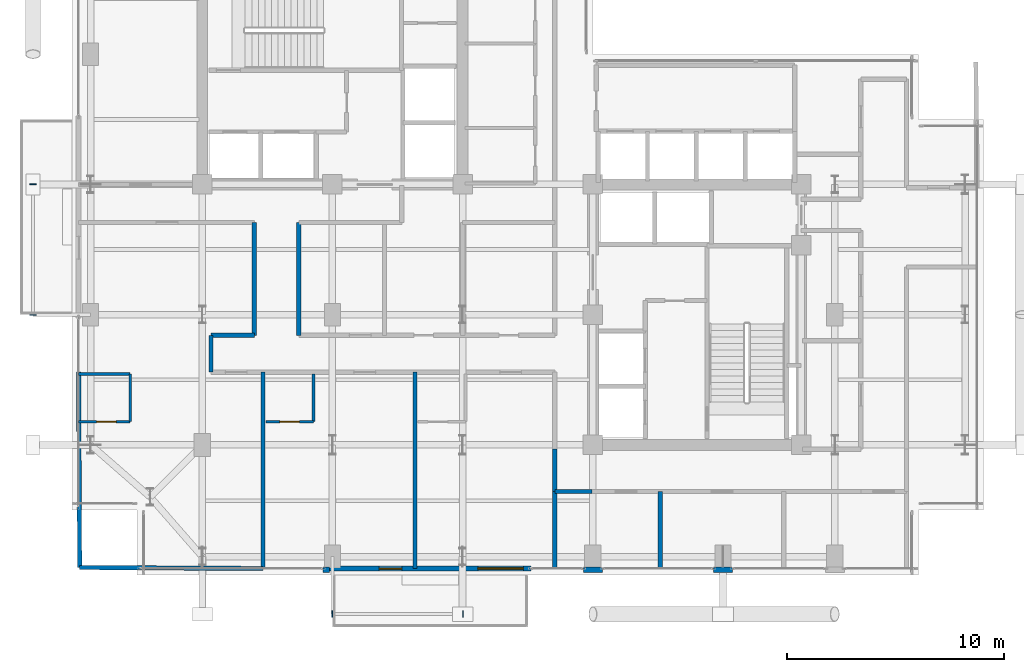
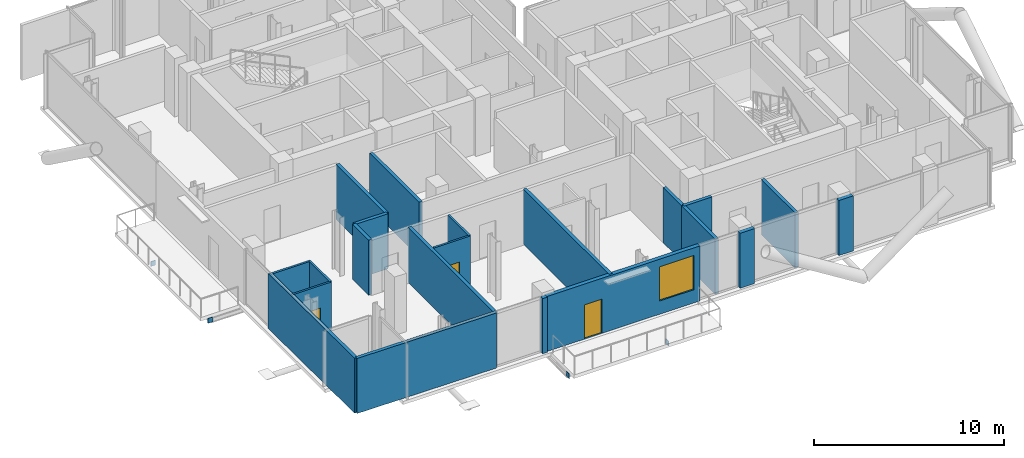
# One storey, part 16 of 22: 21 walls, 4 plates, 3 doors, 1 window, 4 openings.
"""IFC4 building model written with IfcOpenShell, lengths in metres."""

from ifc_helpers import new_model, si_unit, direction, frame, frame_2d, origin, origin_2d, place, context, subcontext, project, spatial, rectangle, extrude, material, layer, layer_set, type_object, element, fill, save


model = new_model("IFC4")

# Units and contexts
model_context = context("Model", 3, precision=1e-05, world=origin(), true_north=direction((0.0, 1.0)))
body_context = subcontext(model_context, "Body", "Model", "MODEL_VIEW")
ifc_project = project(units=[si_unit("LENGTHUNIT", "METRE"), si_unit("AREAUNIT", "SQUARE_METRE"), si_unit("VOLUMEUNIT", "CUBIC_METRE"), si_unit("PLANEANGLEUNIT", "RADIAN"), si_unit("MASSUNIT", "GRAM", prefix="KILO"), si_unit("THERMODYNAMICTEMPERATUREUNIT", "KELVIN"), si_unit("POWERUNIT", "WATT")], contexts=[model_context])

# Site, building, storey
site_placement = place(None, origin())
site = spatial("IfcSite", under=ifc_project, at=site_placement, CompositionType="ELEMENT")
building_placement = place(site_placement, origin())
building = spatial("IfcBuilding", under=site, at=building_placement, Name="Svarakhadi Broadcast Tower", CompositionType="ELEMENT")
storey_placement = place(building_placement, frame((0.0, 0.0, 172.949951171875)))
storey = spatial("IfcBuildingStorey", under=building, at=storey_placement, Name="L42", CompositionType="ELEMENT", Elevation=172.949951171875)

# Plates
ifc_material_1 = material(Name="Steel S460ML (IS 2062 E450BR)", Category="steel")
ifc_layer_1 = layer(ifc_material_1, 0.028076171875)
ifc_layer_set_1 = layer_set([ifc_layer_1], Name="Steel S460ML (IS 2062 E450BR)")
plate_type = type_object("IfcPlateType", Name="Cap_Plate_CP02", PredefinedType="USERDEFINED", material=ifc_layer_set_1)
for number, where, z_axis, x_axis, name in (
    (1, (11.985107421875, -1.800048828125, -0.5048828125), (0.0, 0.0, 1.0), (1.0, 0.0, 0.0), "L42 Balcony Spandrel End Cap Plate 1F-A"),
    (2, (18.014892578125, -1.800048828125, -0.5048828125), (0.0, 0.0, 1.0), (1.0, 0.0, 0.0), "L42 Balcony Spandrel End Cap Plate 1F-B"),
):
    element("IfcPlate", number, at=place(storey_placement, frame(where, z_axis=z_axis, x_axis=x_axis)), inside=storey, type_object=plate_type, Name=name, ObjectType="FLANGE_PLATE", PredefinedType="USERDEFINED", context=body_context, shape_type="SweptSolid", body=[
        extrude(rectangle(XDim=0.0400390625, YDim=0.300048828125, at=origin_2d()), origin(), (0.0, 0.0, 1.0), 0.31005859375),
    ])
for number, where, z_axis, x_axis, name in (
    (3, (-1.800048828125, 11.985107421875, -0.5048828125), (0.0, 0.0, 1.0), (1.0, 0.0, 0.0), "L42 Balcony Spandrel End Cap Plate 2F-A"),
    (4, (-1.800048828125, 18.014892578125, -0.5048828125), (0.0, 0.0, 1.0), (1.0, 0.0, 0.0), "L42 Balcony Spandrel End Cap Plate 2F-B"),
):
    element("IfcPlate", number, at=place(storey_placement, frame(where, z_axis=z_axis, x_axis=x_axis)), inside=storey, type_object=plate_type, Name=name, ObjectType="FLANGE_PLATE", PredefinedType="USERDEFINED", context=body_context, shape_type="SweptSolid", body=[
        extrude(rectangle(XDim=0.300048828125, YDim=0.0400390625, at=origin_2d()), origin(), (0.0, 0.0, 1.0), 0.31005859375),
    ])

# Walls
ifc_material_2 = material(Name="Double-Stud Acoustic Studio Partition STC-62", Category="gypsum")
ifc_layer_2 = layer(ifc_material_2, 0.199951171875)
ifc_layer_set_2 = layer_set([ifc_layer_2], Name="Double-Stud Acoustic Studio Partition STC-62")
wall_type_1 = type_object("IfcWallType", Name="Wall_Acoust_200", PredefinedType="PARTITIONING", material=ifc_layer_set_2)
wall_1_placement = place(storey_placement, frame((23.949951171875, 3.85009765625, 0.0), z_axis=(0.0, 0.0, 1.0), x_axis=(-1.0, 0.0, 0.0)))
element("IfcWall", 5, at=wall_1_placement, inside=storey, type_object=wall_type_1, Name="L42 Zone 2/3 Corridor Wall", PredefinedType="PARTITIONING", context=body_context, shape_type="SweptSolid", body=[
    extrude(rectangle(XDim=1.699951171875, YDim=0.199951171875, at=frame_2d((0.85009765625, 0.0))), origin(), (0.0, 0.0, 1.0), 3.5400390625),
])
wall_2_placement = place(storey_placement, frame((22.25, 3.85009765625, 0.0), z_axis=(0.0, 0.0, 1.0), x_axis=(0.0, 1.0, 0.0)))
element("IfcWall", 6, at=wall_2_placement, inside=storey, type_object=wall_type_1, Name="L42 Zone 2/3 Corridor Wall", PredefinedType="PARTITIONING", context=body_context, shape_type="SweptSolid", body=[
    extrude(rectangle(XDim=1.949951171875, YDim=0.199951171875, at=frame_2d((0.97509765625, 0.0))), origin(), (0.0, 0.0, 1.0), 3.5400390625),
])
wall_3_placement = place(storey_placement, frame((6.39990234375, 9.35009765625, 0.0), z_axis=(0.0, 0.0, 1.0), x_axis=(0.0, 1.0, 0.0)))
element("IfcWall", 7, at=wall_3_placement, inside=storey, type_object=wall_type_1, Name="L42 Zone 2/3 Corridor Wall", PredefinedType="PARTITIONING", context=body_context, shape_type="SweptSolid", body=[
    extrude(rectangle(XDim=1.699951171875, YDim=0.199951171875, at=frame_2d((0.85009765625, 0.0))), origin(), (0.0, 0.0, 1.0), 3.5400390625),
])
wall_4_placement = place(storey_placement, frame((6.39990234375, 11.050048828125, 0.0), z_axis=(0.0, 0.0, 1.0), x_axis=(1.0, 0.0, 0.0)))
element("IfcWall", 8, at=wall_4_placement, inside=storey, type_object=wall_type_1, Name="L42 Zone 2/3 Corridor Wall", PredefinedType="PARTITIONING", context=body_context, shape_type="SweptSolid", body=[
    extrude(rectangle(XDim=2.0, YDim=0.199951171875, at=frame_2d((1.0, 0.0))), origin(), (0.0, 0.0, 1.0), 3.5400390625),
])
for number, where, z_axis, x_axis, name in (
    (9, (8.39990234375, 11.050048828125, 0.0), (0.0, 0.0, 1.0), (0.0, 1.0, 0.0), "L42 Zone 2/3 Corridor Wall"),
    (10, (10.449951171875, 16.25, 0.0), (0.0, 0.0, 1.0), (0.0, -1.0, 0.0), "L42 Zone 2/3 Corridor Wall"),
):
    element("IfcWall", number, at=place(storey_placement, frame(where, z_axis=z_axis, x_axis=x_axis)), inside=storey, type_object=wall_type_1, Name=name, PredefinedType="PARTITIONING", context=body_context, shape_type="SweptSolid", body=[
        extrude(rectangle(XDim=5.199951171875, YDim=0.199951171875, at=frame_2d((2.60009765625, 0.0))), origin(), (0.0, 0.0, 1.0), 3.5400390625),
    ])
for number, where, z_axis, x_axis, name in (
    (11, (22.25, 0.300048828125, 0.0), (0.0, 0.0, 1.0), (0.0, 1.0, 0.0), "L42 Hotel Business Centre Office Wall"),
    (12, (27.10009765625, 0.300048828125, 0.0), (0.0, 0.0, 1.0), (0.0, 1.0, 0.0), "L42 Hotel Business Centre Office Wall"),
):
    element("IfcWall", number, at=place(storey_placement, frame(where, z_axis=z_axis, x_axis=x_axis)), inside=storey, type_object=wall_type_1, Name=name, PredefinedType="PARTITIONING", context=body_context, shape_type="SweptSolid", body=[
        extrude(rectangle(XDim=3.550048828125, YDim=0.199951171875, at=frame_2d((1.77490234375, 0.0))), origin(), (0.0, 0.0, 1.0), 3.5400390625),
    ])
wall_5_placement = place(storey_placement, frame((0.35009765625, 0.35009765625, 0.0), z_axis=(0.0, 0.0, 1.0), x_axis=(0.99998245966, -0.005922868574, 0.0)))
element("IfcWall", 13, at=wall_5_placement, inside=storey, type_object=wall_type_1, Name="L42 Deluxe Sea-View Guest Room 01 Wall", PredefinedType="PARTITIONING", context=body_context, shape_type="SweptSolid", body=[
    extrude(rectangle(XDim=8.4501953125, YDim=0.199951171875, at=frame_2d((4.22509765625, 0.0))), origin(), (0.0, 0.0, 1.0), 3.5400390625),
])
wall_6_placement = place(storey_placement, frame((0.35009765625, 0.35009765625, 0.0), z_axis=(0.0, 0.0, 1.0), x_axis=(-0.005560894919, 0.999984538104, 0.0)))
element("IfcWall", 14, at=wall_6_placement, inside=storey, type_object=wall_type_1, Name="L42 Deluxe Sea-View Guest Room 01 Wall", PredefinedType="PARTITIONING", context=body_context, shape_type="SweptSolid", body=[
    extrude(rectangle(XDim=9.000244140625, YDim=0.199951171875, at=frame_2d((4.5, 0.0))), origin(), (0.0, 0.0, 1.0), 3.5400390625),
])
for number, where, z_axis, x_axis, name in (
    (15, (8.800048828125, 0.300048828125, 0.0), (0.0, 0.0, 1.0), (0.0, 1.0, 0.0), "L42 Deluxe Sea-View Guest Room 01 Wall"),
    (16, (15.800048828125, 0.300048828125, 0.0), (0.0, 0.0, 1.0), (0.0, 1.0, 0.0), "L42 Deluxe Sea-View Guest Room 02 Wall"),
):
    element("IfcWall", number, at=place(storey_placement, frame(where, z_axis=z_axis, x_axis=x_axis)), inside=storey, type_object=wall_type_1, Name=name, PredefinedType="PARTITIONING", context=body_context, shape_type="SweptSolid", body=[
        extrude(rectangle(XDim=9.050048828125, YDim=0.199951171875, at=frame_2d((4.52490234375, 0.0))), origin(), (0.0, 0.0, 1.0), 3.5400390625),
    ])

# Wall, openings, door, window
ifc_material_3 = material(Name="Concrete C40/50 (IS 456 M50)", Category="concrete")
ifc_layer_3 = layer(ifc_material_3, 0.239990234375)
ifc_layer_set_3 = layer_set([ifc_layer_3], Name="Concrete C40/50 (IS 456 M50)")
wall_type_2 = type_object("IfcWallType", Name="Wall_Ext_240", PredefinedType="SOLIDWALL", material=ifc_layer_set_3)
wall_7_placement = place(storey_placement, frame((21.14501953125, 0.300048828125, 0.0), z_axis=(0.0, 0.0, 1.0), x_axis=(-1.0, 0.0, 0.0)))
wall_7 = element("IfcWall", 17, at=wall_7_placement, inside=storey, type_object=wall_type_2, Name="L42 South Tree Balcony Spandrel Wall", PredefinedType="SOLIDWALL", context=body_context, shape_type="SweptSolid", body=[
    extrude(rectangle(XDim=9.2900390625, YDim=0.239990234375, at=frame_2d((4.64501953125, 0.0))), origin(), (0.0, 0.0, 1.0), 3.5400390625),
])
opening_1_placement = place(wall_7_placement, frame((5.949951171875, 0.0, 0.0)))
opening_1 = element("IfcOpeningElement", 18, at=opening_1_placement, cuts=wall_7, Name="Opening ED-06", PredefinedType="OPENING", context=body_context, shape_type="SweptSolid", body=[
    extrude(rectangle(XDim=1.050048828125, YDim=2.199951171875, at=frame_2d((0.52490234375, 1.10009765625))), frame((0.0, 0.1298828125, 0.0), z_axis=(0.0, -1.0, 0.0), x_axis=(1.0, 0.0, 0.0)), (0.0, 0.0, 1.0), 0.260009765625),
])
opening_2_placement = place(wall_7_placement, frame((0.35009765625, 0.0, 0.85009765625)))
opening_2 = element("IfcOpeningElement", 19, at=opening_2_placement, cuts=wall_7, Name="Opening WN-06", PredefinedType="OPENING", context=body_context, shape_type="SweptSolid", body=[
    extrude(rectangle(XDim=2.10009765625, YDim=2.199951171875, at=frame_2d((1.050048828125, 1.10009765625))), frame((0.0, 0.1298828125, 0.0), z_axis=(0.0, -1.0, 0.0), x_axis=(1.0, 0.0, 0.0)), (0.0, 0.0, 1.0), 0.260009765625),
])
ifc_material_4 = material(Name="Anodised Bronze Aluminium AA 6063-T6", Category="aluminium")
door_type_1 = type_object("IfcDoorType", Name="Door_Ext_ED06", OperationType="SINGLE_SWING_RIGHT", PredefinedType="DOOR", material=ifc_material_4)
door_1_placement = place(opening_1_placement, origin())
door_1 = element("IfcDoor", 20, at=door_1_placement, inside=storey, type_object=door_type_1, Name="L42 South Tree Balcony Door", OperationType="SINGLE_SWING_RIGHT", OverallHeight=2.199951171875, OverallWidth=1.050048828125, PredefinedType="DOOR", context=body_context, shape_type="SweptSolid", body=[
    extrude(rectangle(XDim=1.050048828125, YDim=2.199951171875, at=frame_2d((0.52490234375, 1.10009765625))), frame((0.0, 0.02490234375, 0.0), z_axis=(0.0, -1.0, 0.0), x_axis=(1.0, 0.0, 0.0)), (0.0, 0.0, 1.0), 0.050048828125),
])
fill(opening_1, door_1)
ifc_material_5 = material(Name="Double Low-E Laminated Acoustic Glass IGU 36 mm", Category="glass")
window_type = type_object("IfcWindowType", Name="Win_Hotel_WN06", PartitioningType="SINGLE_PANEL", PredefinedType="WINDOW", material=ifc_material_5)
window_placement = place(opening_2_placement, origin())
window = element("IfcWindow", 21, at=window_placement, inside=storey, type_object=window_type, Name="L42 South Tree Balcony Window", OverallHeight=2.199951171875, OverallWidth=2.10009765625, PartitioningType="SINGLE_PANEL", PredefinedType="WINDOW", context=body_context, shape_type="SweptSolid", body=[
    extrude(rectangle(XDim=2.10009765625, YDim=2.199951171875, at=frame_2d((1.050048828125, 1.10009765625))), frame((0.0, 0.030029296875, 0.0), z_axis=(0.0, -1.0, 0.0), x_axis=(1.0, 0.0, 0.0)), (0.0, 0.0, 1.0), 0.06005859375),
])
fill(opening_2, window)

# Walls
for number, where, z_axis, x_axis, name in (
    (22, (30.43994140625, 0.239990234375, 0.0), (0.0, 0.0, 1.0), (-1.0, 0.0, 0.0), "L42 Perimeter Bronze Spandrel Closure Wall 04"),
    (23, (24.43994140625, 0.239990234375, 0.0), (0.0, 0.0, 1.0), (-1.0, 0.0, 0.0), "L42 Perimeter Bronze Spandrel Closure Wall 05"),
):
    element("IfcWall", number, at=place(storey_placement, frame(where, z_axis=z_axis, x_axis=x_axis)), inside=storey, type_object=wall_type_2, Name=name, PredefinedType="SOLIDWALL", context=body_context, shape_type="SweptSolid", body=[
        extrude(rectangle(XDim=0.8798828125, YDim=0.239990234375, at=frame_2d((0.43994140625, 0.0))), origin(), (0.0, 0.0, 1.0), 3.5400390625),
    ])
wall_8_placement = place(storey_placement, frame((11.85498046875, 0.239990234375, 0.0), z_axis=(0.0, 0.0, 1.0), x_axis=(-1.0, 0.0, 0.0)))
element("IfcWall", 24, at=wall_8_placement, inside=storey, type_object=wall_type_2, Name="L42 Perimeter Bronze Spandrel Closure Wall 06", PredefinedType="SOLIDWALL", context=body_context, shape_type="SweptSolid", body=[
    extrude(rectangle(XDim=0.294921875, YDim=0.239990234375, at=frame_2d((0.1474609375, 0.0))), origin(), (0.0, 0.0, 1.0), 3.5400390625),
])

# Wall, opening, door
ifc_material_6 = material(Name="Fire-Rated Moisture-Resistant Gypsum Board Partition", Category="gypsum")
ifc_layer_4 = layer(ifc_material_6, 0.125)
ifc_layer_set_4 = layer_set([ifc_layer_4], Name="Fire-Rated Moisture-Resistant Gypsum Board Partition")
wall_type_3 = type_object("IfcWallType", Name="Wall_Part_125", PredefinedType="PARTITIONING", material=ifc_layer_set_4)
wall_9_placement = place(storey_placement, frame((0.300048828125, 7.070068359375, 0.0), z_axis=(0.0, 0.0, 1.0), x_axis=(1.0, 0.0, 0.0)))
wall_9 = element("IfcWall", 25, at=wall_9_placement, inside=storey, type_object=wall_type_3, Name="L42 Deluxe Sea-View Guest Room 01 En-Suite Wall", PredefinedType="PARTITIONING", context=body_context, shape_type="SweptSolid", body=[
    extrude(rectangle(XDim=2.3798828125, YDim=0.125, at=frame_2d((1.18994140625, 0.0))), origin(), (0.0, 0.0, 1.0), 3.5400390625),
])
opening_3_placement = place(wall_9_placement, frame((0.830078125, 0.0, 0.0)))
opening_3 = element("IfcOpeningElement", 26, at=opening_3_placement, cuts=wall_9, Name="Opening D-13", PredefinedType="OPENING", context=body_context, shape_type="SweptSolid", body=[
    extrude(rectangle(XDim=0.89990234375, YDim=2.10009765625, at=frame_2d((0.449951171875, 1.050048828125))), frame((0.0, 0.072509765625, 0.0), z_axis=(0.0, -1.0, 0.0), x_axis=(1.0, 0.0, 0.0)), (0.0, 0.0, 1.0), 0.14501953125),
])
ifc_material_7 = material(Name="Solid-Core Teak Veneer Acoustic Timber Leaf", Category="wood")
door_type_2 = type_object("IfcDoorType", Name="Door_Closet_D13", OperationType="SINGLE_SWING_RIGHT", PredefinedType="DOOR", material=ifc_material_7)
door_2_placement = place(opening_3_placement, origin())
door_2 = element("IfcDoor", 27, at=door_2_placement, inside=storey, type_object=door_type_2, Name="L42 Deluxe Sea-View Guest Room 01 En-Suite Door", OperationType="SINGLE_SWING_RIGHT", OverallHeight=2.10009765625, OverallWidth=0.89990234375, PredefinedType="DOOR", context=body_context, shape_type="SweptSolid", body=[
    extrude(rectangle(XDim=0.89990234375, YDim=2.10009765625, at=frame_2d((0.449951171875, 1.050048828125))), frame((0.0, 0.02490234375, 0.0), z_axis=(0.0, -1.0, 0.0), x_axis=(1.0, 0.0, 0.0)), (0.0, 0.0, 1.0), 0.050048828125),
])
fill(opening_3, door_2)

# Walls
wall_10_placement = place(storey_placement, frame((0.300048828125, 9.27001953125, 0.0), z_axis=(0.0, 0.0, 1.0), x_axis=(1.0, 0.0, 0.0)))
element("IfcWall", 28, at=wall_10_placement, inside=storey, type_object=wall_type_3, Name="L42 Deluxe Sea-View Guest Room 01 En-Suite Wall", PredefinedType="PARTITIONING", context=body_context, shape_type="SweptSolid", body=[
    extrude(rectangle(XDim=2.3798828125, YDim=0.125, at=frame_2d((1.18994140625, 0.0))), origin(), (0.0, 0.0, 1.0), 3.5400390625),
])
wall_11_placement = place(storey_placement, frame((2.679931640625, 7.070068359375, 0.0), z_axis=(0.0, 0.0, 1.0), x_axis=(0.0, 1.0, 0.0)))
element("IfcWall", 29, at=wall_11_placement, inside=storey, type_object=wall_type_3, Name="L42 Deluxe Sea-View Guest Room 01 En-Suite Wall", PredefinedType="PARTITIONING", context=body_context, shape_type="SweptSolid", body=[
    extrude(rectangle(XDim=2.199951171875, YDim=0.125, at=frame_2d((1.10009765625, 0.0))), origin(), (0.0, 0.0, 1.0), 3.5400390625),
])

# Wall, opening, door
wall_12_placement = place(storey_placement, frame((8.929931640625, 7.070068359375, 0.0), z_axis=(0.0, 0.0, 1.0), x_axis=(1.0, 0.0, 0.0)))
wall_12 = element("IfcWall", 30, at=wall_12_placement, inside=storey, type_object=wall_type_3, Name="L42 Deluxe Sea-View Guest Room 02 En-Suite Wall", PredefinedType="PARTITIONING", context=body_context, shape_type="SweptSolid", body=[
    extrude(rectangle(XDim=2.199951171875, YDim=0.125, at=frame_2d((1.10009765625, 0.0))), origin(), (0.0, 0.0, 1.0), 3.5400390625),
])
opening_4_placement = place(wall_12_placement, frame((0.64990234375, 0.0, 0.0)))
opening_4 = element("IfcOpeningElement", 31, at=opening_4_placement, cuts=wall_12, Name="Opening D-12", PredefinedType="OPENING", context=body_context, shape_type="SweptSolid", body=[
    extrude(rectangle(XDim=0.89990234375, YDim=2.10009765625, at=frame_2d((0.449951171875, 1.050048828125))), frame((0.0, 0.072509765625, 0.0), z_axis=(0.0, -1.0, 0.0), x_axis=(1.0, 0.0, 0.0)), (0.0, 0.0, 1.0), 0.14501953125),
])
door_type_3 = type_object("IfcDoorType", Name="Door_WC_D01", OperationType="SINGLE_SWING_LEFT", PredefinedType="DOOR", material=ifc_material_7)
door_3_placement = place(opening_4_placement, origin())
door_3 = element("IfcDoor", 32, at=door_3_placement, inside=storey, type_object=door_type_3, Name="L42 Deluxe Sea-View Guest Room 02 En-Suite Door", OperationType="SINGLE_SWING_LEFT", OverallHeight=2.10009765625, OverallWidth=0.89990234375, PredefinedType="DOOR", context=body_context, shape_type="SweptSolid", body=[
    extrude(rectangle(XDim=0.89990234375, YDim=2.10009765625, at=frame_2d((0.449951171875, 1.050048828125))), frame((0.0, 0.02490234375, 0.0), z_axis=(0.0, -1.0, 0.0), x_axis=(1.0, 0.0, 0.0)), (0.0, 0.0, 1.0), 0.050048828125),
])
fill(opening_4, door_3)

# Wall
wall_13_placement = place(storey_placement, frame((11.1298828125, 7.070068359375, 0.0), z_axis=(0.0, 0.0, 1.0), x_axis=(0.0, 1.0, 0.0)))
element("IfcWall", 33, at=wall_13_placement, inside=storey, type_object=wall_type_3, Name="L42 Deluxe Sea-View Guest Room 02 En-Suite Wall", PredefinedType="PARTITIONING", context=body_context, shape_type="SweptSolid", body=[
    extrude(rectangle(XDim=2.199951171875, YDim=0.125, at=frame_2d((1.10009765625, 0.0))), origin(), (0.0, 0.0, 1.0), 3.5400390625),
])

save(model, "model.ifc")
